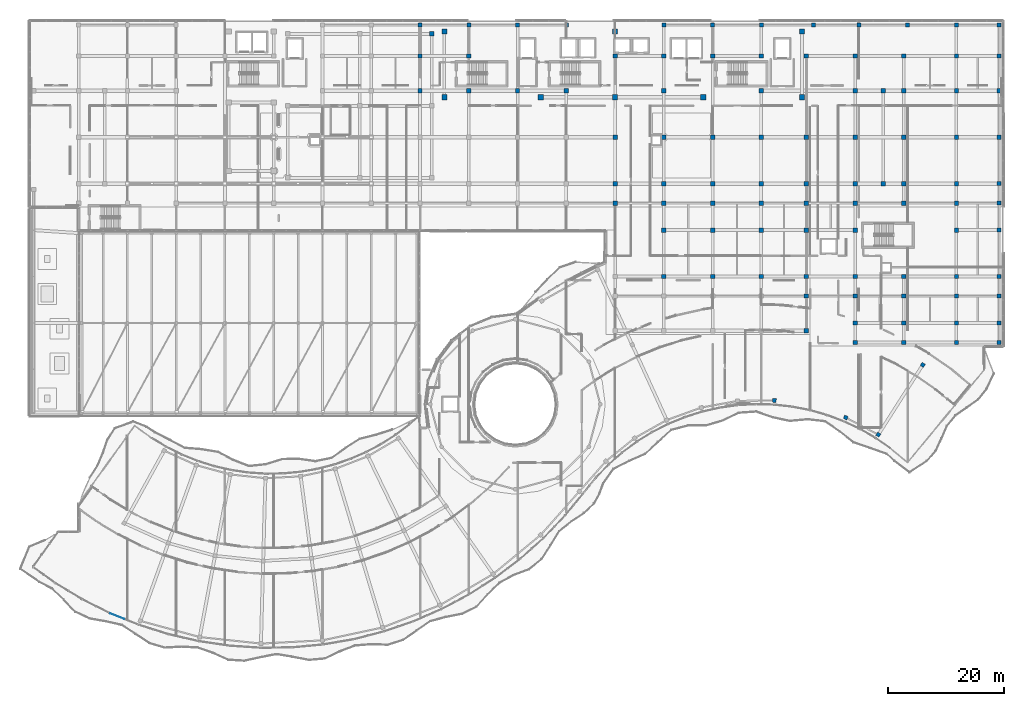
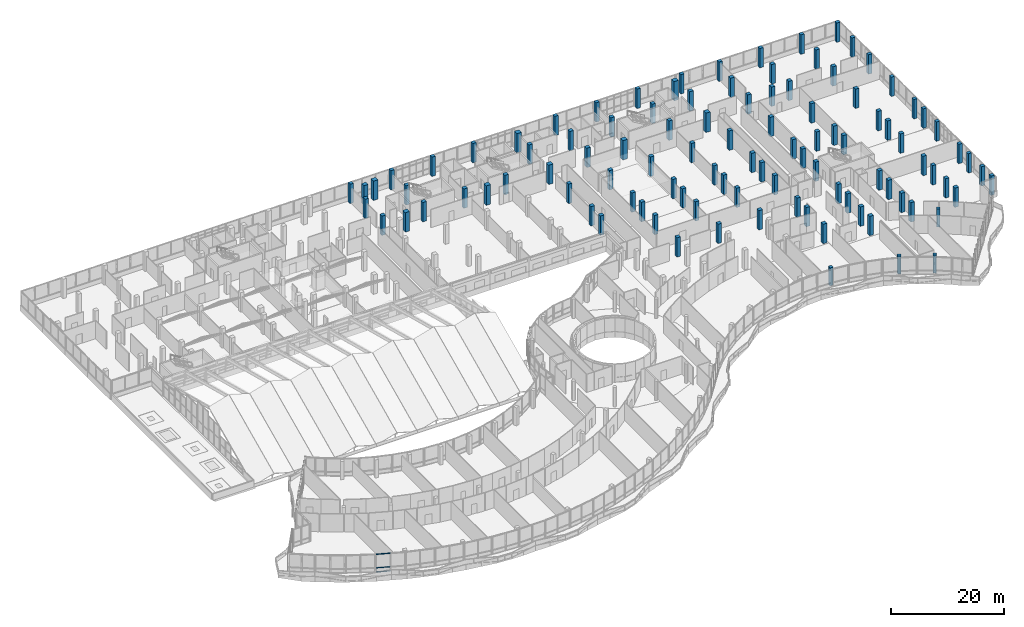
# One storey, part 11 of 184: 104 columns, 3 members, 1 element without a shape of its own.
"""IFC4 building model written with IfcOpenShell, lengths in metres."""

from ifc_helpers import new_model, si_unit, direction, frame, origin, origin_2d, place, context, subcontext, project, spatial, rectangle, hollow_rectangle, extrude, material, material_profile, profile_set, type_object, element, aggregate, save


model = new_model("IFC4")

# Units and contexts
model_context = context("Model", 3, precision=1e-05, world=origin(), true_north=direction((0.0, 1.0)))
body_context = subcontext(model_context, "Body", "Model", "MODEL_VIEW")
ifc_project = project(units=[si_unit("LENGTHUNIT", "METRE"), si_unit("AREAUNIT", "SQUARE_METRE"), si_unit("VOLUMEUNIT", "CUBIC_METRE"), si_unit("PLANEANGLEUNIT", "RADIAN"), si_unit("MASSUNIT", "GRAM", prefix="KILO")], contexts=[model_context])

# Site, building, storey
site_placement = place(None, origin())
site = spatial("IfcSite", under=ifc_project, at=site_placement, CompositionType="ELEMENT")
building_placement = place(site_placement, origin())
building = spatial("IfcBuilding", under=site, at=building_placement, Name="Selatvlak General Hospital", CompositionType="ELEMENT")
storey_placement = place(building_placement, frame((0.0, 0.0, 15.0)))
storey = spatial("IfcBuildingStorey", under=building, at=storey_placement, Name="L03", CompositionType="ELEMENT", Elevation=15.0)

# Columns
ifc_material_1 = material(Name="Concrete C40/50", Category="concrete")
ifc_material_profile_1 = material_profile(ifc_material_1, rectangle(XDim=0.64990234375, YDim=0.64990234375, at=origin_2d()), Name="RC-COL 650x650")
ifc_profile_set_1 = profile_set([ifc_material_profile_1], Name="Concrete C40/50")
column_type_1 = type_object("IfcColumnType", Name="COL-RC65", PredefinedType="COLUMN", material=ifc_profile_set_1)
for number, where, z_axis, x_axis, name in (
    (1, (142.633056640625, 54.658935546875, 0.0), (0.0, 0.0, 1.0), (0.068938143839, 0.99762093619, 0.0), "Column 347 on L03"),
    (2, (154.927978515625, 51.716064453125, 0.0), (0.0, 0.0, 1.0), (0.390393719602, 0.920648002059, 0.0), "Column 348 on L03"),
    (3, (168.197998046875, 60.783935546875, 0.0), (0.0, 0.0, 1.0), (0.537064068078, 0.843541455282, 0.0), "Column 349 on L03"),
    (4, (160.544921875, 48.763916015625, 0.0), (0.0, 0.0, 1.0), (0.537064068078, 0.843541455282, 0.0), "Column 350 on L03"),
):
    element("IfcColumn", number, at=place(storey_placement, frame(where, z_axis=z_axis, x_axis=x_axis)), inside=storey, type_object=column_type_1, Name=name, PredefinedType="COLUMN", context=body_context, shape_type="SweptSolid", body=[
        extrude(rectangle(XDim=0.64990234375, YDim=0.64990234375, at=origin_2d()), origin(), (0.0, 0.0, 1.0), 3.909912109375),
    ])
ifc_material_profile_2 = material_profile(ifc_material_1, rectangle(XDim=0.699951171875, YDim=0.699951171875, at=origin_2d()), Name="RC-COL 700x700")
ifc_profile_set_2 = profile_set([ifc_material_profile_2], Name="Concrete C40/50")
column_type_2 = type_object("IfcColumnType", Name="COL-RC70", PredefinedType="COLUMN", material=ifc_profile_set_2)
for number, where, z_axis, x_axis, name in (
    (5, (149.39990234375, 119.35009765625, 0.0), (0.0, 0.0, 1.0), (1.0, 0.0, 0.0), "Column 122 on L03"),
    (6, (157.199951171875, 119.35009765625, 0.0), (0.0, 0.0, 1.0), (1.0, 0.0, 0.0), "Column 123 on L03"),
    (7, (165.60009765625, 119.35009765625, 0.0), (0.0, 0.0, 1.0), (1.0, 0.0, 0.0), "Column 124 on L03"),
    (8, (174.0, 119.35009765625, 0.0), (0.0, 0.0, 1.0), (1.0, 0.0, 0.0), "Column 125 on L03"),
    (9, (181.35009765625, 119.35009765625, 0.0), (0.0, 0.0, 1.0), (1.0, 0.0, 0.0), "Column 126 on L03"),
    (10, (81.60009765625, 119.35009765625, 0.0), (0.0, 0.0, 1.0), (1.0, 0.0, 0.0), "Column 206 on L03"),
    (11, (90.0, 119.35009765625, 0.0), (0.0, 0.0, 1.0), (1.0, 0.0, 0.0), "Column 215 on L03"),
    (12, (98.39990234375, 119.35009765625, 0.0), (0.0, 0.0, 1.0), (1.0, 0.0, 0.0), "Column 222 on L03"),
    (13, (106.800048828125, 119.35009765625, 0.0), (0.0, 0.0, 1.0), (1.0, 0.0, 0.0), "Column 228 on L03"),
    (14, (123.60009765625, 119.35009765625, 0.0), (0.0, 0.0, 1.0), (1.0, 0.0, 0.0), "Column 245 on L03"),
    (15, (132.0, 119.35009765625, 0.0), (0.0, 0.0, 1.0), (1.0, 0.0, 0.0), "Column 254 on L03"),
    (16, (140.39990234375, 119.35009765625, 0.0), (0.0, 0.0, 1.0), (1.0, 0.0, 0.0), "Column 264 on L03"),
    (17, (181.35009765625, 64.64990234375, 0.0), (0.0, 0.0, 1.0), (1.0, 0.0, 0.0), "Column 304 on L03"),
    (18, (181.35009765625, 68.0, 0.0), (0.0, 0.0, 1.0), (1.0, 0.0, 0.0), "Column 305 on L03"),
    (19, (181.35009765625, 72.64990234375, 0.0), (0.0, 0.0, 1.0), (1.0, 0.0, 0.0), "Column 306 on L03"),
    (20, (181.35009765625, 76.0, 0.0), (0.0, 0.0, 1.0), (1.0, 0.0, 0.0), "Column 307 on L03"),
    (21, (181.35009765625, 84.0, 0.0), (0.0, 0.0, 1.0), (1.0, 0.0, 0.0), "Column 308 on L03"),
    (22, (181.35009765625, 88.64990234375, 0.0), (0.0, 0.0, 1.0), (1.0, 0.0, 0.0), "Column 309 on L03"),
    (23, (181.35009765625, 92.0, 0.0), (0.0, 0.0, 1.0), (1.0, 0.0, 0.0), "Column 310 on L03"),
    (24, (181.35009765625, 100.0, 0.0), (0.0, 0.0, 1.0), (1.0, 0.0, 0.0), "Column 311 on L03"),
    (25, (181.35009765625, 108.0, 0.0), (0.0, 0.0, 1.0), (1.0, 0.0, 0.0), "Column 312 on L03"),
    (26, (181.35009765625, 114.0, 0.0), (0.0, 0.0, 1.0), (1.0, 0.0, 0.0), "Column 313 on L03"),
):
    element("IfcColumn", number, at=place(storey_placement, frame(where, z_axis=z_axis, x_axis=x_axis)), inside=storey, type_object=column_type_2, Name=name, PredefinedType="COLUMN", context=body_context, shape_type="SweptSolid", body=[
        extrude(rectangle(XDim=0.699951171875, YDim=0.699951171875, at=origin_2d()), origin(), (0.0, 0.0, 1.0), 4.199951171875),
    ])
ifc_material_2 = material(Name="Concrete C50/60", Category="concrete")
ifc_material_profile_3 = material_profile(ifc_material_2, rectangle(XDim=0.75, YDim=0.75, at=origin_2d()), Name="RC-COL 750x750")
ifc_profile_set_3 = profile_set([ifc_material_profile_3], Name="Concrete C50/60")
column_type_3 = type_object("IfcColumnType", Name="COL-RC75", PredefinedType="COLUMN", material=ifc_profile_set_3)
for number, where, z_axis, x_axis, name in (
    (27, (161.39990234375, 92.0, 0.0), (0.0, 0.0, 1.0), (1.0, 0.0, 0.0), "Column 113 on L03"),
    (28, (161.39990234375, 108.0, 0.0), (0.0, 0.0, 1.0), (1.0, 0.0, 0.0), "Column 114 on L03"),
    (29, (81.60009765625, 108.0, 0.0), (0.0, 0.0, 1.0), (1.0, 0.0, 0.0), "Column 204 on L03"),
    (30, (81.60009765625, 114.0, 0.0), (0.0, 0.0, 1.0), (1.0, 0.0, 0.0), "Column 205 on L03"),
    (31, (90.0, 108.0, 0.0), (0.0, 0.0, 1.0), (1.0, 0.0, 0.0), "Column 213 on L03"),
    (32, (90.0, 114.0, 0.0), (0.0, 0.0, 1.0), (1.0, 0.0, 0.0), "Column 214 on L03"),
    (33, (98.39990234375, 108.0, 0.0), (0.0, 0.0, 1.0), (1.0, 0.0, 0.0), "Column 221 on L03"),
    (34, (106.800048828125, 108.0, 0.0), (0.0, 0.0, 1.0), (1.0, 0.0, 0.0), "Column 227 on L03"),
    (35, (115.199951171875, 88.64990234375, 0.0), (0.0, 0.0, 1.0), (1.0, 0.0, 0.0), "Column 232 on L03"),
    (36, (115.199951171875, 92.0, 0.0), (0.0, 0.0, 1.0), (1.0, 0.0, 0.0), "Column 233 on L03"),
    (37, (115.199951171875, 100.0, 0.0), (0.0, 0.0, 1.0), (1.0, 0.0, 0.0), "Column 234 on L03"),
    (38, (115.199951171875, 114.0, 0.0), (0.0, 0.0, 1.0), (1.0, 0.0, 0.0), "Column 235 on L03"),
    (39, (123.60009765625, 76.0, 0.0), (0.0, 0.0, 1.0), (1.0, 0.0, 0.0), "Column 238 on L03"),
    (40, (123.60009765625, 84.0, 0.0), (0.0, 0.0, 1.0), (1.0, 0.0, 0.0), "Column 239 on L03"),
    (41, (123.60009765625, 88.64990234375, 0.0), (0.0, 0.0, 1.0), (1.0, 0.0, 0.0), "Column 240 on L03"),
    (42, (123.60009765625, 92.0, 0.0), (0.0, 0.0, 1.0), (1.0, 0.0, 0.0), "Column 241 on L03"),
    (43, (123.60009765625, 100.0, 0.0), (0.0, 0.0, 1.0), (1.0, 0.0, 0.0), "Column 242 on L03"),
    (44, (123.60009765625, 108.0, 0.0), (0.0, 0.0, 1.0), (1.0, 0.0, 0.0), "Column 243 on L03"),
    (45, (123.60009765625, 114.0, 0.0), (0.0, 0.0, 1.0), (1.0, 0.0, 0.0), "Column 244 on L03"),
    (46, (132.0, 76.0, 0.0), (0.0, 0.0, 1.0), (1.0, 0.0, 0.0), "Column 248 on L03"),
    (47, (132.0, 84.0, 0.0), (0.0, 0.0, 1.0), (1.0, 0.0, 0.0), "Column 249 on L03"),
    (48, (132.0, 88.64990234375, 0.0), (0.0, 0.0, 1.0), (1.0, 0.0, 0.0), "Column 250 on L03"),
    (49, (132.0, 92.0, 0.0), (0.0, 0.0, 1.0), (1.0, 0.0, 0.0), "Column 251 on L03"),
    (50, (132.0, 100.0, 0.0), (0.0, 0.0, 1.0), (1.0, 0.0, 0.0), "Column 252 on L03"),
    (51, (132.0, 114.0, 0.0), (0.0, 0.0, 1.0), (1.0, 0.0, 0.0), "Column 253 on L03"),
    (52, (140.39990234375, 76.0, 0.0), (0.0, 0.0, 1.0), (1.0, 0.0, 0.0), "Column 257 on L03"),
    (53, (140.39990234375, 84.0, 0.0), (0.0, 0.0, 1.0), (1.0, 0.0, 0.0), "Column 258 on L03"),
    (54, (140.39990234375, 88.64990234375, 0.0), (0.0, 0.0, 1.0), (1.0, 0.0, 0.0), "Column 259 on L03"),
    (55, (140.39990234375, 92.0, 0.0), (0.0, 0.0, 1.0), (1.0, 0.0, 0.0), "Column 260 on L03"),
    (56, (140.39990234375, 100.0, 0.0), (0.0, 0.0, 1.0), (1.0, 0.0, 0.0), "Column 261 on L03"),
    (57, (140.39990234375, 108.0, 0.0), (0.0, 0.0, 1.0), (1.0, 0.0, 0.0), "Column 262 on L03"),
    (58, (140.39990234375, 114.0, 0.0), (0.0, 0.0, 1.0), (1.0, 0.0, 0.0), "Column 263 on L03"),
    (59, (148.14990234375, 66.64990234375, 0.0), (0.0, 0.0, 1.0), (1.0, 0.0, 0.0), "Column 266 on L03"),
    (60, (148.14990234375, 72.64990234375, 0.0), (0.0, 0.0, 1.0), (1.0, 0.0, 0.0), "Column 267 on L03"),
    (61, (148.14990234375, 76.0, 0.0), (0.0, 0.0, 1.0), (1.0, 0.0, 0.0), "Column 268 on L03"),
    (62, (148.14990234375, 84.0, 0.0), (0.0, 0.0, 1.0), (1.0, 0.0, 0.0), "Column 269 on L03"),
    (63, (148.14990234375, 88.64990234375, 0.0), (0.0, 0.0, 1.0), (1.0, 0.0, 0.0), "Column 270 on L03"),
    (64, (148.14990234375, 92.0, 0.0), (0.0, 0.0, 1.0), (1.0, 0.0, 0.0), "Column 271 on L03"),
    (65, (148.14990234375, 100.0, 0.0), (0.0, 0.0, 1.0), (1.0, 0.0, 0.0), "Column 272 on L03"),
    (66, (148.14990234375, 114.0, 0.0), (0.0, 0.0, 1.0), (1.0, 0.0, 0.0), "Column 273 on L03"),
    (67, (156.550048828125, 64.64990234375, 0.0), (0.0, 0.0, 1.0), (1.0, 0.0, 0.0), "Column 274 on L03"),
    (68, (156.550048828125, 68.0, 0.0), (0.0, 0.0, 1.0), (1.0, 0.0, 0.0), "Column 275 on L03"),
    (69, (156.550048828125, 72.64990234375, 0.0), (0.0, 0.0, 1.0), (1.0, 0.0, 0.0), "Column 276 on L03"),
    (70, (156.550048828125, 76.0, 0.0), (0.0, 0.0, 1.0), (1.0, 0.0, 0.0), "Column 277 on L03"),
    (71, (156.550048828125, 84.0, 0.0), (0.0, 0.0, 1.0), (1.0, 0.0, 0.0), "Column 278 on L03"),
    (72, (156.550048828125, 88.64990234375, 0.0), (0.0, 0.0, 1.0), (1.0, 0.0, 0.0), "Column 279 on L03"),
    (73, (156.550048828125, 92.0, 0.0), (0.0, 0.0, 1.0), (1.0, 0.0, 0.0), "Column 280 on L03"),
    (74, (156.550048828125, 100.0, 0.0), (0.0, 0.0, 1.0), (1.0, 0.0, 0.0), "Column 281 on L03"),
    (75, (156.550048828125, 108.0, 0.0), (0.0, 0.0, 1.0), (1.0, 0.0, 0.0), "Column 282 on L03"),
    (76, (156.550048828125, 114.0, 0.0), (0.0, 0.0, 1.0), (1.0, 0.0, 0.0), "Column 283 on L03"),
    (77, (164.949951171875, 64.64990234375, 0.0), (0.0, 0.0, 1.0), (1.0, 0.0, 0.0), "Column 284 on L03"),
    (78, (164.949951171875, 68.0, 0.0), (0.0, 0.0, 1.0), (1.0, 0.0, 0.0), "Column 285 on L03"),
    (79, (164.949951171875, 72.64990234375, 0.0), (0.0, 0.0, 1.0), (1.0, 0.0, 0.0), "Column 286 on L03"),
    (80, (164.949951171875, 76.0, 0.0), (0.0, 0.0, 1.0), (1.0, 0.0, 0.0), "Column 287 on L03"),
    (81, (164.949951171875, 88.64990234375, 0.0), (0.0, 0.0, 1.0), (1.0, 0.0, 0.0), "Column 288 on L03"),
    (82, (164.949951171875, 92.0, 0.0), (0.0, 0.0, 1.0), (1.0, 0.0, 0.0), "Column 289 on L03"),
    (83, (164.949951171875, 100.0, 0.0), (0.0, 0.0, 1.0), (1.0, 0.0, 0.0), "Column 290 on L03"),
    (84, (164.949951171875, 108.0, 0.0), (0.0, 0.0, 1.0), (1.0, 0.0, 0.0), "Column 291 on L03"),
    (85, (164.949951171875, 114.0, 0.0), (0.0, 0.0, 1.0), (1.0, 0.0, 0.0), "Column 292 on L03"),
    (86, (174.0, 64.64990234375, 0.0), (0.0, 0.0, 1.0), (1.0, 0.0, 0.0), "Column 294 on L03"),
    (87, (174.0, 68.0, 0.0), (0.0, 0.0, 1.0), (1.0, 0.0, 0.0), "Column 295 on L03"),
    (88, (174.0, 72.64990234375, 0.0), (0.0, 0.0, 1.0), (1.0, 0.0, 0.0), "Column 296 on L03"),
    (89, (174.0, 76.0, 0.0), (0.0, 0.0, 1.0), (1.0, 0.0, 0.0), "Column 297 on L03"),
    (90, (174.0, 84.0, 0.0), (0.0, 0.0, 1.0), (1.0, 0.0, 0.0), "Column 298 on L03"),
    (91, (174.0, 88.64990234375, 0.0), (0.0, 0.0, 1.0), (1.0, 0.0, 0.0), "Column 299 on L03"),
    (92, (174.0, 92.0, 0.0), (0.0, 0.0, 1.0), (1.0, 0.0, 0.0), "Column 300 on L03"),
    (93, (174.0, 100.0, 0.0), (0.0, 0.0, 1.0), (1.0, 0.0, 0.0), "Column 301 on L03"),
    (94, (174.0, 108.0, 0.0), (0.0, 0.0, 1.0), (1.0, 0.0, 0.0), "Column 302 on L03"),
    (95, (174.0, 114.0, 0.0), (0.0, 0.0, 1.0), (1.0, 0.0, 0.0), "Column 303 on L03"),
):
    element("IfcColumn", number, at=place(storey_placement, frame(where, z_axis=z_axis, x_axis=x_axis)), inside=storey, type_object=column_type_3, Name=name, PredefinedType="COLUMN", context=body_context, shape_type="SweptSolid", body=[
        extrude(rectangle(XDim=0.75, YDim=0.75, at=origin_2d()), origin(), (0.0, 0.0, 1.0), 4.199951171875),
    ])
ifc_material_profile_4 = material_profile(ifc_material_2, rectangle(XDim=0.800048828125, YDim=0.800048828125, at=origin_2d()), Name="RC-COL 800x800")
ifc_profile_set_4 = profile_set([ifc_material_profile_4], Name="Concrete C50/60")
column_type_4 = type_object("IfcColumnType", Name="COL-RC80", PredefinedType="COLUMN", material=ifc_profile_set_4)
column_placement = place(storey_placement, frame((83.60009765625, 117.800048828125, 0.0), z_axis=(0.0, 0.0, 1.0), x_axis=(1.0, 0.0, 0.0)))
element("IfcColumn", 96, at=column_placement, inside=storey, type_object=column_type_4, Name="Column 045 on L03", PredefinedType="COLUMN", context=body_context, shape_type="SweptSolid", body=[
    extrude(rectangle(XDim=0.800048828125, YDim=0.800048828125, at=origin_2d()), origin(), (0.0, 0.0, 1.0), 4.199951171875),
])
ifc_material_profile_5 = material_profile(ifc_material_2, rectangle(XDim=0.89990234375, YDim=0.89990234375, at=origin_2d()), Name="RC-COL 900x900")
ifc_profile_set_5 = profile_set([ifc_material_profile_5], Name="Concrete C50/60")
column_type_5 = type_object("IfcColumnType", Name="COL-RC90", PredefinedType="COLUMN", material=ifc_profile_set_5)
for number, where, z_axis, x_axis, name in (
    (97, (85.800048828125, 106.89990234375, 0.0), (0.0, 0.0, 1.0), (1.0, 0.0, 0.0), "Column 052 on L03"),
    (98, (102.39990234375, 106.89990234375, 0.0), (0.0, 0.0, 1.0), (1.0, 0.0, 0.0), "Column 053 on L03"),
    (99, (115.199951171875, 106.89990234375, 0.0), (0.0, 0.0, 1.0), (1.0, 0.0, 0.0), "Column 054 on L03"),
    (100, (130.39990234375, 106.89990234375, 0.0), (0.0, 0.0, 1.0), (1.0, 0.0, 0.0), "Column 055 on L03"),
    (101, (147.39990234375, 106.89990234375, 0.0), (0.0, 0.0, 1.0), (1.0, 0.0, 0.0), "Column 056 on L03"),
    (102, (85.800048828125, 118.199951171875, 0.0), (0.0, 0.0, 1.0), (1.0, 0.0, 0.0), "Column 057 on L03"),
    (103, (115.199951171875, 118.199951171875, 0.0), (0.0, 0.0, 1.0), (1.0, 0.0, 0.0), "Column 058 on L03"),
    (104, (147.39990234375, 118.199951171875, 0.0), (0.0, 0.0, 1.0), (1.0, 0.0, 0.0), "Column 059 on L03"),
):
    element("IfcColumn", number, at=place(storey_placement, frame(where, z_axis=z_axis, x_axis=x_axis)), inside=storey, type_object=column_type_5, Name=name, PredefinedType="COLUMN", context=body_context, shape_type="SweptSolid", body=[
        extrude(rectangle(XDim=0.89990234375, YDim=0.89990234375, at=origin_2d()), origin(), (0.0, 0.0, 1.0), 4.199951171875),
    ])

# Curtain wall, members
ifc_material_3 = material(Name="Solar-control Low-E double glazing", Category="glass")
curtain_wall_type = type_object("IfcCurtainWallType", Name="CW-CW-02", PredefinedType="USERDEFINED", material=ifc_material_3)
curtain_wall_placement = place(storey_placement, origin())
curtain_wall = element("IfcCurtainWall", 105, at=curtain_wall_placement, inside=storey, type_object=curtain_wall_type, Name="Glazed facade curtain wall CW-L03-0432", ObjectType="UNITISED CURTAIN WALL", PredefinedType="USERDEFINED")
ifc_material_4 = material(Name="Dark anodised aluminium mullion", Category="aluminium")
ifc_material_profile_6 = material_profile(ifc_material_4, hollow_rectangle(XDim=0.06494140625, YDim=0.1201171875, WallThickness=0.00390625, at=origin_2d()), Name="AL-TRN 65x120x4")
ifc_profile_set_6 = profile_set([ifc_material_profile_6], Name="Dark anodised aluminium mullion")
member_type = type_object("IfcMemberType", Name="CWT-01", PredefinedType="USERDEFINED", material=ifc_profile_set_6)
member_1_placement = place(storey_placement, frame((30.6259765625, 17.00927734375, 0.032470703125), z_axis=(-0.926914249948, 0.375273198142, 0.0), x_axis=(-0.375273198142, -0.926914249948, 0.0)))
member_1 = element("IfcMember", 106, at=member_1_placement, type_object=member_type, Name="CW-02 transom 2.1", ObjectType="TRANSOM", PredefinedType="USERDEFINED", context=body_context, shape_type="SweptSolid", body=[
    extrude(hollow_rectangle(XDim=0.06494140625, YDim=0.1201171875, WallThickness=0.00390625, at=origin_2d()), origin(), (0.0, 0.0, 1.0), 2.545654296875),
])
member_2_placement = place(storey_placement, frame((30.6259765625, 17.00927734375, 0.949951171875), z_axis=(-0.926914249948, 0.375273198142, 0.0), x_axis=(-0.375273198142, -0.926914249948, 0.0)))
member_2 = element("IfcMember", 107, at=member_2_placement, type_object=member_type, Name="CW-02 transom 2.2", ObjectType="TRANSOM", PredefinedType="USERDEFINED", context=body_context, shape_type="SweptSolid", body=[
    extrude(hollow_rectangle(XDim=0.06494140625, YDim=0.1201171875, WallThickness=0.00390625, at=origin_2d()), origin(), (0.0, 0.0, 1.0), 2.545654296875),
])
member_3_placement = place(storey_placement, frame((30.6259765625, 17.00927734375, 3.862548828125), z_axis=(-0.926914249948, 0.375273198142, 0.0), x_axis=(-0.375273198142, -0.926914249948, 0.0)))
member_3 = element("IfcMember", 108, at=member_3_placement, type_object=member_type, Name="CW-02 transom 2.3", ObjectType="TRANSOM", PredefinedType="USERDEFINED", context=body_context, shape_type="SweptSolid", body=[
    extrude(hollow_rectangle(XDim=0.06494140625, YDim=0.1201171875, WallThickness=0.00390625, at=origin_2d()), origin(), (0.0, 0.0, 1.0), 2.545654296875),
])
aggregate(curtain_wall, [member_1, member_2, member_3])

save(model, "model.ifc")
